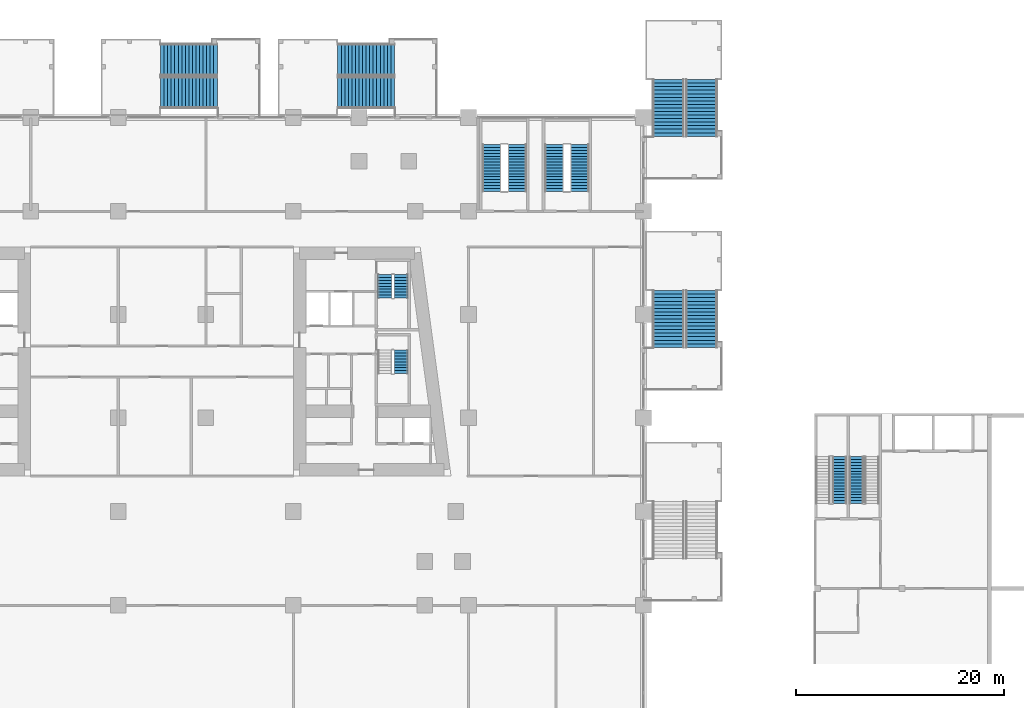
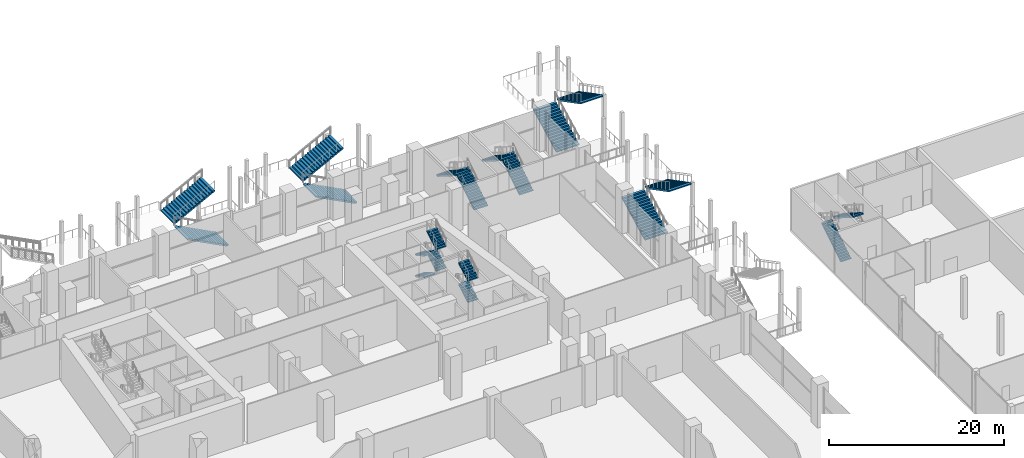
# One storey, part 33 of 49: 20 stair flights, 10 elements without a shape of their own.
"""IFC4 building model written with IfcOpenShell, lengths in metres."""

import ifcopenshell
import ifcopenshell.guid

model = None  # the IFC model being written
_history = None  # IfcOwnerHistory: only IFC2X3 demands one
_inside = {}  # id of a spatial element -> (the spatial element, [elements in it])
_under = {}  # id of a project, library or spatial element -> (it, [spatial elements below it])
_declared = {}  # id of a project -> (the project, [libraries it declares])
_typed = {}  # id of a type object -> (the type object, [elements of that type])
_made_of = {}  # id of a material, layer set ... -> (it, [elements and type objects made of it])


def new_model(schema):
    """Start an empty IFC model of exactly this schema.

    Asked for "IFC4X3", IfcOpenShell would pick the latest addendum, in which some entities
    have other attributes; the version numbers below select the first issue.
    IFC2X3 requires an IfcOwnerHistory on every rooted entity: one is made here for all.
    """
    global model, _history
    if schema == "IFC4X3":
        model = ifcopenshell.file(schema_version=(4, 3, 0, 0))
    else:
        model = ifcopenshell.file(schema=schema)
    _inside.clear()
    _under.clear()
    _declared.clear()
    _typed.clear()
    _made_of.clear()
    _history = None
    if model.schema == "IFC2X3":
        org = make("IfcOrganization", Name="unknown")
        user = make(
            "IfcPersonAndOrganization",
            ThePerson=make("IfcPerson", FamilyName="unknown"),
            TheOrganization=org,
        )
        app = make(
            "IfcApplication",
            ApplicationDeveloper=org,
            Version="unknown",
            ApplicationFullName="unknown",
            ApplicationIdentifier="unknown",
        )
        _history = make(
            "IfcOwnerHistory",
            OwningUser=user,
            OwningApplication=app,
            ChangeAction="ADDED",
            CreationDate=0,
        )
    return model


def make(cls, **values):
    """One entity of the class cls with the attributes given. An attribute that is None is left unset."""
    return model.create_entity(
        cls, **{name: value for name, value in values.items() if value is not None}
    )


def rooted(cls, **values):
    """An entity with a GlobalId (a new one), such as an element, a storey or a relation."""
    return make(cls, GlobalId=ifcopenshell.guid.new(), OwnerHistory=_history, **values)


def si_unit(unit_type, name, prefix=None):
    """IfcSIUnit, for example si_unit("LENGTHUNIT", "METRE", prefix="MILLI")."""
    return make("IfcSIUnit", UnitType=unit_type, Prefix=prefix, Name=name)


def assignment(units):
    """IfcUnitAssignment: the units of a project."""
    return None if units is None else make("IfcUnitAssignment", Units=units)


def point(xyz):
    """IfcCartesianPoint."""
    return None if xyz is None else make("IfcCartesianPoint", Coordinates=xyz)


def direction(xyz):
    """IfcDirection."""
    return None if xyz is None else make("IfcDirection", DirectionRatios=xyz)


def frame(location, z_axis=None, x_axis=None):
    """IfcAxis2Placement3D, a coordinate frame: its origin and axes. An axis left out is left unset."""
    return make(
        "IfcAxis2Placement3D",
        Location=point(location),
        Axis=direction(z_axis),
        RefDirection=direction(x_axis),
    )


def origin():
    """The frame at (0, 0, 0) with its axes left unset."""
    return frame((0.0, 0.0, 0.0))


def place(relative_to, where):
    """IfcLocalPlacement: puts the frame where relative to a parent placement (None: the world)."""
    return make(
        "IfcLocalPlacement", PlacementRelTo=relative_to, RelativePlacement=where
    )


def context(
    kind, dimensions, precision=None, world=None, true_north=None, identifier=None
):
    """IfcGeometricRepresentationContext, for example the 3D "Model" context."""
    return make(
        "IfcGeometricRepresentationContext",
        ContextIdentifier=identifier,
        ContextType=kind,
        CoordinateSpaceDimension=dimensions,
        Precision=precision,
        WorldCoordinateSystem=world,
        TrueNorth=true_north,
    )


def subcontext(parent, identifier, kind, view, scale=None):
    """IfcGeometricRepresentationSubContext, for example "Body" below "Model"."""
    return make(
        "IfcGeometricRepresentationSubContext",
        ContextIdentifier=identifier,
        ContextType=kind,
        ParentContext=parent,
        TargetScale=scale,
        TargetView=view,
    )


def project(units=None, contexts=None):
    """IfcProject with its units and contexts."""
    return rooted(
        "IfcProject",
        Name="project",
        RepresentationContexts=contexts,
        UnitsInContext=assignment(units),
    )


def spatial(cls, under=None, at=None, **own):
    """A site, building, storey or space (cls), placed at a placement, below another one or the project."""
    s = rooted(cls, ObjectPlacement=at, **own)
    if under is not None:
        _under.setdefault(under.id(), (under, []))[1].append(s)
    return s


def polyline(points):
    """IfcPolyline through the points."""
    return make("IfcPolyline", Points=[point(p) for p in points])


def outline(outer, holes=None, kind="AREA"):
    """IfcArbitraryClosedProfileDef: a profile drawn as a closed curve; with holes, ...WithVoids."""
    if holes is None:
        return make("IfcArbitraryClosedProfileDef", ProfileType=kind, OuterCurve=outer)
    return make(
        "IfcArbitraryProfileDefWithVoids",
        ProfileType=kind,
        OuterCurve=outer,
        InnerCurves=holes,
    )


def extrude(swept, where, along, depth):
    """IfcExtrudedAreaSolid: the profile swept, set in the frame where, extruded along a direction by depth."""
    return make(
        "IfcExtrudedAreaSolid",
        SweptArea=swept,
        Position=where,
        ExtrudedDirection=direction(along),
        Depth=depth,
    )


def shape(context_of_items, identifier, shape_type, items):
    """IfcShapeRepresentation: the items that make up one representation, for example the "Body"."""
    return make(
        "IfcShapeRepresentation",
        ContextOfItems=context_of_items,
        RepresentationIdentifier=identifier,
        RepresentationType=shape_type,
        Items=items,
    )


def material(Name=None, Category=None):
    """IfcMaterial."""
    return make("IfcMaterial", Name=Name, Category=Category)


def made_of(thing, what):
    """Note that an element or type object is made of a material, layer set ...; save() writes the relation."""
    if what is not None:
        _made_of.setdefault(what.id(), (what, []))[1].append(thing)
    return thing


def type_object(cls, material=None, **own):
    """A type object (cls), such as IfcWallType, which elements share."""
    return made_of(rooted(cls, **own), material)


def element(
    cls,
    number,
    at=None,
    inside=None,
    cuts=None,
    type_object=None,
    material=None,
    context=None,
    identifier="Body",
    shape_type=None,
    held_by="IfcProductDefinitionShape",
    body=None,
    shapes=None,
    **own,
):
    """One element of the class cls, such as IfcWall. Its Tag is "e" and its number.

    at: its placement. inside: the storey or other place that contains it. cuts: it is an
    opening in that element (IfcRelVoidsElement). A single representation is given by context,
    identifier, shape_type and body (its items); several are given by shapes. held_by: the class
    of the entity that holds the representations. save() writes the other relations.
    """
    e = rooted(cls, Tag="e%d" % number, ObjectPlacement=at, **own)
    if body is not None:
        shapes = [shape(context, identifier, shape_type, body)]
    if shapes is not None:
        e.Representation = make(held_by, Representations=shapes)
    if inside is not None:
        _inside.setdefault(inside.id(), (inside, []))[1].append(e)
    if cuts is not None:
        rooted(
            "IfcRelVoidsElement", RelatingBuildingElement=cuts, RelatedOpeningElement=e
        )
    if type_object is not None:
        _typed.setdefault(type_object.id(), (type_object, []))[1].append(e)
    return made_of(e, material)


def aggregate(whole, parts):
    """IfcRelAggregates: a whole, such as a stair, and the parts it consists of."""
    return rooted("IfcRelAggregates", RelatingObject=whole, RelatedObjects=parts)


def save(model, path):
    """Write the relations noted so far, then the file.

    IfcRelAggregates (storeys below a building ...), IfcRelContainedInSpatialStructure (elements
    in a storey), IfcRelDefinesByType, IfcRelAssociatesMaterial and IfcRelDeclares: one each for
    every whole, place, type object, material and project.
    """
    for whole, parts in _under.values():
        aggregate(whole, parts)
    for where, things in _inside.values():
        rooted(
            "IfcRelContainedInSpatialStructure",
            RelatedElements=things,
            RelatingStructure=where,
        )
    for kind, things in _typed.values():
        rooted("IfcRelDefinesByType", RelatedObjects=things, RelatingType=kind)
    for what, things in _made_of.values():
        rooted("IfcRelAssociatesMaterial", RelatedObjects=things, RelatingMaterial=what)
    for by, libraries in _declared.values():
        rooted("IfcRelDeclares", RelatingContext=by, RelatedDefinitions=libraries)
    model.write(path)


model = new_model("IFC4")

# Units and contexts
model_context = context("Model", 3, precision=1e-05, world=origin(), true_north=direction((0.0, 1.0)))
body_context = subcontext(model_context, "Body", "Model", "MODEL_VIEW")
ifc_project = project(units=[si_unit("LENGTHUNIT", "METRE"), si_unit("AREAUNIT", "SQUARE_METRE"), si_unit("VOLUMEUNIT", "CUBIC_METRE"), si_unit("PLANEANGLEUNIT", "RADIAN"), si_unit("MASSUNIT", "GRAM", prefix="KILO")], contexts=[model_context])

# Site, building, storey
site_placement = place(None, origin())
site = spatial("IfcSite", under=ifc_project, at=site_placement, CompositionType="ELEMENT")
building_placement = place(site_placement, origin())
building = spatial("IfcBuilding", under=site, at=building_placement, Name="Candeia Pilgrim Tower and Theatre", CompositionType="ELEMENT")
storey_placement = place(building_placement, frame((0.0, 0.0, 17.0)))
storey = spatial("IfcBuildingStorey", under=building, at=storey_placement, Name="L02", CompositionType="ELEMENT", Elevation=17.0)

# Stair, stair flights
ifc_material_1 = material(Name="Concrete C40/50", Category="concrete")
stair_type_1 = type_object("IfcStairType", Name="ST-EXT external escape stair", PredefinedType="HALF_TURN_STAIR", material=ifc_material_1)
stair_1_placement = place(storey_placement, origin())
stair_1 = element("IfcStair", 1, at=stair_1_placement, inside=storey, type_object=stair_type_1, Name="L02 External escape stair ES2", PredefinedType="HALF_TURN_STAIR")
stair_flight_type_1 = type_object("IfcStairFlightType", Name="SFL-EXT stair flight", PredefinedType="STRAIGHT", material=ifc_material_1)
stair_flight_1_placement = place(storey_placement, frame((162.0, 143.0, 0.0), z_axis=(0.0, 0.0, 1.0), x_axis=(0.0, 1.0, 0.0)))
stair_flight_1 = element("IfcStairFlight", 2, at=stair_flight_1_placement, type_object=stair_flight_type_1, Name="ES2 flight 1", NumberOfRisers=17, NumberOfTreads=16, PredefinedType="STRAIGHT", RiserHeight=0.176470588, TreadLength=0.34, context=body_context, shape_type="SweptSolid", body=[
    extrude(outline(polyline([(0.0, 0.0), (0.0, 0.176513671875), (0.340087890625, 0.176513671875), (0.340087890625, 0.35302734375), (0.679931640625, 0.35302734375), (0.679931640625, 0.529296875), (1.02001953125, 0.529296875), (1.02001953125, 0.705810546875), (1.360107421875, 0.705810546875), (1.360107421875, 0.88232421875), (1.699951171875, 0.88232421875), (1.699951171875, 1.058837890625), (2.0400390625, 1.058837890625), (2.0400390625, 1.2353515625), (2.3798828125, 1.2353515625), (2.3798828125, 1.411865234375), (2.719970703125, 1.411865234375), (2.719970703125, 1.588134765625), (3.06005859375, 1.588134765625), (3.06005859375, 1.7646484375), (3.39990234375, 1.7646484375), (3.39990234375, 1.941162109375), (3.739990234375, 1.941162109375), (3.739990234375, 2.11767578125), (4.080078125, 2.11767578125), (4.080078125, 2.294189453125), (4.419921875, 2.294189453125), (4.419921875, 2.470703125), (4.760009765625, 2.470703125), (4.760009765625, 2.64697265625), (5.10009765625, 2.64697265625), (5.10009765625, 2.823486328125), (5.43994140625, 2.823486328125), (5.43994140625, 3.0), (5.43994140625, 2.654541015625), (0.325439453125, 0.0), (0.0, 0.0)])), frame((0.0, 1.5, 0.0), z_axis=(0.0, -1.0, 0.0), x_axis=(1.0, 0.0, 0.0)), (0.0, 0.0, 1.0), 3.0),
])
stair_flight_2_placement = place(storey_placement, frame((165.14990234375, 148.43994140625, 3.0), z_axis=(0.0, 0.0, 1.0), x_axis=(0.0, -1.0, 0.0)))
stair_flight_2 = element("IfcStairFlight", 3, at=stair_flight_2_placement, type_object=stair_flight_type_1, Name="ES2 flight 2", NumberOfRisers=17, NumberOfTreads=16, PredefinedType="STRAIGHT", RiserHeight=0.176470588, TreadLength=0.34, context=body_context, shape_type="SweptSolid", body=[
    extrude(outline(polyline([(0.0, 0.0), (0.0, 0.176513671875), (0.340087890625, 0.176513671875), (0.340087890625, 0.35302734375), (0.679931640625, 0.35302734375), (0.679931640625, 0.529296875), (1.02001953125, 0.529296875), (1.02001953125, 0.705810546875), (1.360107421875, 0.705810546875), (1.360107421875, 0.88232421875), (1.699951171875, 0.88232421875), (1.699951171875, 1.058837890625), (2.0400390625, 1.058837890625), (2.0400390625, 1.2353515625), (2.3798828125, 1.2353515625), (2.3798828125, 1.411865234375), (2.719970703125, 1.411865234375), (2.719970703125, 1.588134765625), (3.06005859375, 1.588134765625), (3.06005859375, 1.7646484375), (3.39990234375, 1.7646484375), (3.39990234375, 1.941162109375), (3.739990234375, 1.941162109375), (3.739990234375, 2.11767578125), (4.080078125, 2.11767578125), (4.080078125, 2.294189453125), (4.419921875, 2.294189453125), (4.419921875, 2.470703125), (4.760009765625, 2.470703125), (4.760009765625, 2.64697265625), (5.10009765625, 2.64697265625), (5.10009765625, 2.823486328125), (5.43994140625, 2.823486328125), (5.43994140625, 3.0), (5.43994140625, 2.654541015625), (0.325439453125, 0.0), (0.0, 0.0)])), frame((0.0, 1.5, 0.0), z_axis=(0.0, -1.0, 0.0), x_axis=(1.0, 0.0, 0.0)), (0.0, 0.0, 1.0), 3.0),
])
aggregate(stair_1, [stair_flight_1, stair_flight_2])

stair_2_placement = place(storey_placement, origin())
stair_2 = element("IfcStair", 4, at=stair_2_placement, inside=storey, type_object=stair_type_1, Name="L02 External escape stair ES6", PredefinedType="HALF_TURN_STAIR")
stair_flight_3_placement = place(storey_placement, frame((118.699951171875, 147.199951171875, 0.0), z_axis=(0.0, 0.0, 1.0), x_axis=(-1.0, 0.0, 0.0)))
stair_flight_3 = element("IfcStairFlight", 5, at=stair_flight_3_placement, type_object=stair_flight_type_1, Name="ES6 flight 1", NumberOfRisers=17, NumberOfTreads=16, PredefinedType="STRAIGHT", RiserHeight=0.176470588, TreadLength=0.34, context=body_context, shape_type="SweptSolid", body=[
    extrude(outline(polyline([(0.0, 0.0), (0.0, 0.176513671875), (0.340087890625, 0.176513671875), (0.340087890625, 0.35302734375), (0.679931640625, 0.35302734375), (0.679931640625, 0.529296875), (1.02001953125, 0.529296875), (1.02001953125, 0.705810546875), (1.360107421875, 0.705810546875), (1.360107421875, 0.88232421875), (1.699951171875, 0.88232421875), (1.699951171875, 1.058837890625), (2.0400390625, 1.058837890625), (2.0400390625, 1.2353515625), (2.3798828125, 1.2353515625), (2.3798828125, 1.411865234375), (2.719970703125, 1.411865234375), (2.719970703125, 1.588134765625), (3.06005859375, 1.588134765625), (3.06005859375, 1.7646484375), (3.39990234375, 1.7646484375), (3.39990234375, 1.941162109375), (3.739990234375, 1.941162109375), (3.739990234375, 2.11767578125), (4.080078125, 2.11767578125), (4.080078125, 2.294189453125), (4.419921875, 2.294189453125), (4.419921875, 2.470703125), (4.760009765625, 2.470703125), (4.760009765625, 2.64697265625), (5.10009765625, 2.64697265625), (5.10009765625, 2.823486328125), (5.43994140625, 2.823486328125), (5.43994140625, 3.0), (5.43994140625, 2.654541015625), (0.325439453125, 0.0), (0.0, 0.0)])), frame((0.0, 1.5, 0.0), z_axis=(0.0, -1.0, 0.0), x_axis=(1.0, 0.0, 0.0)), (0.0, 0.0, 1.0), 3.0),
])
stair_flight_4_placement = place(storey_placement, frame((113.260009765625, 150.35009765625, 3.0), z_axis=(0.0, 0.0, 1.0), x_axis=(1.0, 0.0, 0.0)))
stair_flight_4 = element("IfcStairFlight", 6, at=stair_flight_4_placement, type_object=stair_flight_type_1, Name="ES6 flight 2", NumberOfRisers=17, NumberOfTreads=16, PredefinedType="STRAIGHT", RiserHeight=0.176470588, TreadLength=0.34, context=body_context, shape_type="SweptSolid", body=[
    extrude(outline(polyline([(0.0, 0.0), (0.0, 0.176513671875), (0.340087890625, 0.176513671875), (0.340087890625, 0.35302734375), (0.679931640625, 0.35302734375), (0.679931640625, 0.529296875), (1.02001953125, 0.529296875), (1.02001953125, 0.705810546875), (1.360107421875, 0.705810546875), (1.360107421875, 0.88232421875), (1.699951171875, 0.88232421875), (1.699951171875, 1.058837890625), (2.0400390625, 1.058837890625), (2.0400390625, 1.2353515625), (2.3798828125, 1.2353515625), (2.3798828125, 1.411865234375), (2.719970703125, 1.411865234375), (2.719970703125, 1.588134765625), (3.06005859375, 1.588134765625), (3.06005859375, 1.7646484375), (3.39990234375, 1.7646484375), (3.39990234375, 1.941162109375), (3.739990234375, 1.941162109375), (3.739990234375, 2.11767578125), (4.080078125, 2.11767578125), (4.080078125, 2.294189453125), (4.419921875, 2.294189453125), (4.419921875, 2.470703125), (4.760009765625, 2.470703125), (4.760009765625, 2.64697265625), (5.10009765625, 2.64697265625), (5.10009765625, 2.823486328125), (5.43994140625, 2.823486328125), (5.43994140625, 3.0), (5.43994140625, 2.654541015625), (0.325439453125, 0.0), (0.0, 0.0)])), frame((0.0, 1.5, 0.0), z_axis=(0.0, -1.0, 0.0), x_axis=(1.0, 0.0, 0.0)), (0.0, 0.0, 1.0), 3.0),
])
aggregate(stair_2, [stair_flight_3, stair_flight_4])

stair_3_placement = place(storey_placement, origin())
stair_3 = element("IfcStair", 7, at=stair_3_placement, inside=storey, type_object=stair_type_1, Name="L02 External escape stair ES7", PredefinedType="HALF_TURN_STAIR")
stair_flight_5_placement = place(storey_placement, frame((135.699951171875, 147.199951171875, 0.0), z_axis=(0.0, 0.0, 1.0), x_axis=(-1.0, 0.0, 0.0)))
stair_flight_5 = element("IfcStairFlight", 8, at=stair_flight_5_placement, type_object=stair_flight_type_1, Name="ES7 flight 1", NumberOfRisers=17, NumberOfTreads=16, PredefinedType="STRAIGHT", RiserHeight=0.176470588, TreadLength=0.34, context=body_context, shape_type="SweptSolid", body=[
    extrude(outline(polyline([(0.0, 0.0), (0.0, 0.176513671875), (0.340087890625, 0.176513671875), (0.340087890625, 0.35302734375), (0.679931640625, 0.35302734375), (0.679931640625, 0.529296875), (1.02001953125, 0.529296875), (1.02001953125, 0.705810546875), (1.360107421875, 0.705810546875), (1.360107421875, 0.88232421875), (1.699951171875, 0.88232421875), (1.699951171875, 1.058837890625), (2.0400390625, 1.058837890625), (2.0400390625, 1.2353515625), (2.3798828125, 1.2353515625), (2.3798828125, 1.411865234375), (2.719970703125, 1.411865234375), (2.719970703125, 1.588134765625), (3.06005859375, 1.588134765625), (3.06005859375, 1.7646484375), (3.39990234375, 1.7646484375), (3.39990234375, 1.941162109375), (3.739990234375, 1.941162109375), (3.739990234375, 2.11767578125), (4.080078125, 2.11767578125), (4.080078125, 2.294189453125), (4.419921875, 2.294189453125), (4.419921875, 2.470703125), (4.760009765625, 2.470703125), (4.760009765625, 2.64697265625), (5.10009765625, 2.64697265625), (5.10009765625, 2.823486328125), (5.43994140625, 2.823486328125), (5.43994140625, 3.0), (5.43994140625, 2.654541015625), (0.325439453125, 0.0), (0.0, 0.0)])), frame((0.0, 1.5, 0.0), z_axis=(0.0, -1.0, 0.0), x_axis=(1.0, 0.0, 0.0)), (0.0, 0.0, 1.0), 3.0),
])
stair_flight_6_placement = place(storey_placement, frame((130.260009765625, 150.35009765625, 3.0), z_axis=(0.0, 0.0, 1.0), x_axis=(1.0, 0.0, 0.0)))
stair_flight_6 = element("IfcStairFlight", 9, at=stair_flight_6_placement, type_object=stair_flight_type_1, Name="ES7 flight 2", NumberOfRisers=17, NumberOfTreads=16, PredefinedType="STRAIGHT", RiserHeight=0.176470588, TreadLength=0.34, context=body_context, shape_type="SweptSolid", body=[
    extrude(outline(polyline([(0.0, 0.0), (0.0, 0.176513671875), (0.340087890625, 0.176513671875), (0.340087890625, 0.35302734375), (0.679931640625, 0.35302734375), (0.679931640625, 0.529296875), (1.02001953125, 0.529296875), (1.02001953125, 0.705810546875), (1.360107421875, 0.705810546875), (1.360107421875, 0.88232421875), (1.699951171875, 0.88232421875), (1.699951171875, 1.058837890625), (2.0400390625, 1.058837890625), (2.0400390625, 1.2353515625), (2.3798828125, 1.2353515625), (2.3798828125, 1.411865234375), (2.719970703125, 1.411865234375), (2.719970703125, 1.588134765625), (3.06005859375, 1.588134765625), (3.06005859375, 1.7646484375), (3.39990234375, 1.7646484375), (3.39990234375, 1.941162109375), (3.739990234375, 1.941162109375), (3.739990234375, 2.11767578125), (4.080078125, 2.11767578125), (4.080078125, 2.294189453125), (4.419921875, 2.294189453125), (4.419921875, 2.470703125), (4.760009765625, 2.470703125), (4.760009765625, 2.64697265625), (5.10009765625, 2.64697265625), (5.10009765625, 2.823486328125), (5.43994140625, 2.823486328125), (5.43994140625, 3.0), (5.43994140625, 2.654541015625), (0.325439453125, 0.0), (0.0, 0.0)])), frame((0.0, 1.5, 0.0), z_axis=(0.0, -1.0, 0.0), x_axis=(1.0, 0.0, 0.0)), (0.0, 0.0, 1.0), 3.0),
])
aggregate(stair_3, [stair_flight_5, stair_flight_6])

stair_4_placement = place(storey_placement, origin())
stair_4 = element("IfcStair", 10, at=stair_4_placement, inside=storey, type_object=stair_type_1, Name="L02 External escape stair ES14", PredefinedType="HALF_TURN_STAIR")
stair_flight_7_placement = place(storey_placement, frame((162.0, 122.75, 0.0), z_axis=(0.0, 0.0, 1.0), x_axis=(0.0, 1.0, 0.0)))
stair_flight_7 = element("IfcStairFlight", 11, at=stair_flight_7_placement, type_object=stair_flight_type_1, Name="ES14 flight 1", NumberOfRisers=17, NumberOfTreads=16, PredefinedType="STRAIGHT", RiserHeight=0.176470588, TreadLength=0.34, context=body_context, shape_type="SweptSolid", body=[
    extrude(outline(polyline([(0.0, 0.0), (0.0, 0.176513671875), (0.340087890625, 0.176513671875), (0.340087890625, 0.35302734375), (0.679931640625, 0.35302734375), (0.679931640625, 0.529296875), (1.02001953125, 0.529296875), (1.02001953125, 0.705810546875), (1.360107421875, 0.705810546875), (1.360107421875, 0.88232421875), (1.699951171875, 0.88232421875), (1.699951171875, 1.058837890625), (2.0400390625, 1.058837890625), (2.0400390625, 1.2353515625), (2.3798828125, 1.2353515625), (2.3798828125, 1.411865234375), (2.719970703125, 1.411865234375), (2.719970703125, 1.588134765625), (3.06005859375, 1.588134765625), (3.06005859375, 1.7646484375), (3.39990234375, 1.7646484375), (3.39990234375, 1.941162109375), (3.739990234375, 1.941162109375), (3.739990234375, 2.11767578125), (4.080078125, 2.11767578125), (4.080078125, 2.294189453125), (4.419921875, 2.294189453125), (4.419921875, 2.470703125), (4.760009765625, 2.470703125), (4.760009765625, 2.64697265625), (5.10009765625, 2.64697265625), (5.10009765625, 2.823486328125), (5.43994140625, 2.823486328125), (5.43994140625, 3.0), (5.43994140625, 2.654541015625), (0.325439453125, 0.0), (0.0, 0.0)])), frame((0.0, 1.5, 0.0), z_axis=(0.0, -1.0, 0.0), x_axis=(1.0, 0.0, 0.0)), (0.0, 0.0, 1.0), 3.0),
])
stair_flight_8_placement = place(storey_placement, frame((165.14990234375, 128.18994140625, 3.0), z_axis=(0.0, 0.0, 1.0), x_axis=(0.0, -1.0, 0.0)))
stair_flight_8 = element("IfcStairFlight", 12, at=stair_flight_8_placement, type_object=stair_flight_type_1, Name="ES14 flight 2", NumberOfRisers=17, NumberOfTreads=16, PredefinedType="STRAIGHT", RiserHeight=0.176470588, TreadLength=0.34, context=body_context, shape_type="SweptSolid", body=[
    extrude(outline(polyline([(0.0, 0.0), (0.0, 0.176513671875), (0.340087890625, 0.176513671875), (0.340087890625, 0.35302734375), (0.679931640625, 0.35302734375), (0.679931640625, 0.529296875), (1.02001953125, 0.529296875), (1.02001953125, 0.705810546875), (1.360107421875, 0.705810546875), (1.360107421875, 0.88232421875), (1.699951171875, 0.88232421875), (1.699951171875, 1.058837890625), (2.0400390625, 1.058837890625), (2.0400390625, 1.2353515625), (2.3798828125, 1.2353515625), (2.3798828125, 1.411865234375), (2.719970703125, 1.411865234375), (2.719970703125, 1.588134765625), (3.06005859375, 1.588134765625), (3.06005859375, 1.7646484375), (3.39990234375, 1.7646484375), (3.39990234375, 1.941162109375), (3.739990234375, 1.941162109375), (3.739990234375, 2.11767578125), (4.080078125, 2.11767578125), (4.080078125, 2.294189453125), (4.419921875, 2.294189453125), (4.419921875, 2.470703125), (4.760009765625, 2.470703125), (4.760009765625, 2.64697265625), (5.10009765625, 2.64697265625), (5.10009765625, 2.823486328125), (5.43994140625, 2.823486328125), (5.43994140625, 3.0), (5.43994140625, 2.654541015625), (0.325439453125, 0.0), (0.0, 0.0)])), frame((0.0, 1.5, 0.0), z_axis=(0.0, -1.0, 0.0), x_axis=(1.0, 0.0, 0.0)), (0.0, 0.0, 1.0), 3.0),
])
aggregate(stair_4, [stair_flight_7, stair_flight_8])

stair_type_2 = type_object("IfcStairType", Name="ST-POD dog-leg escape stair", PredefinedType="HALF_TURN_STAIR", material=ifc_material_1)
stair_5_placement = place(storey_placement, origin())
stair_5 = element("IfcStair", 13, at=stair_5_placement, inside=storey, type_object=stair_type_2, Name="L02 Escape stair PS3", PredefinedType="HALF_TURN_STAIR")
stair_flight_type_2 = type_object("IfcStairFlightType", Name="SFL-POD stair flight", PredefinedType="STRAIGHT", material=ifc_material_1)
stair_flight_9_placement = place(storey_placement, frame((147.47509765625, 137.72509765625, 0.0), z_axis=(0.0, 0.0, 1.0), x_axis=(0.0, 1.0, 0.0)))
stair_flight_9 = element("IfcStairFlight", 14, at=stair_flight_9_placement, type_object=stair_flight_type_2, Name="PS3 flight 1", NumberOfRisers=17, NumberOfTreads=16, PredefinedType="STRAIGHT", RiserHeight=0.176470588, TreadLength=0.28, context=body_context, shape_type="SweptSolid", body=[
    extrude(outline(polyline([(0.0, 0.0), (0.0, 0.176513671875), (0.280029296875, 0.176513671875), (0.280029296875, 0.35302734375), (0.56005859375, 0.35302734375), (0.56005859375, 0.529296875), (0.840087890625, 0.529296875), (0.840087890625, 0.705810546875), (1.1201171875, 0.705810546875), (1.1201171875, 0.88232421875), (1.39990234375, 0.88232421875), (1.39990234375, 1.058837890625), (1.679931640625, 1.058837890625), (1.679931640625, 1.2353515625), (1.9599609375, 1.2353515625), (1.9599609375, 1.411865234375), (2.239990234375, 1.411865234375), (2.239990234375, 1.588134765625), (2.52001953125, 1.588134765625), (2.52001953125, 1.7646484375), (2.800048828125, 1.7646484375), (2.800048828125, 1.941162109375), (3.080078125, 1.941162109375), (3.080078125, 2.11767578125), (3.360107421875, 2.11767578125), (3.360107421875, 2.294189453125), (3.639892578125, 2.294189453125), (3.639892578125, 2.470703125), (3.919921875, 2.470703125), (3.919921875, 2.64697265625), (4.199951171875, 2.64697265625), (4.199951171875, 2.823486328125), (4.47998046875, 2.823486328125), (4.47998046875, 3.0), (4.47998046875, 2.646240234375), (0.28125, 0.0), (0.0, 0.0)])), frame((0.0, 0.89990234375, 0.0), z_axis=(0.0, -1.0, 0.0), x_axis=(1.0, 0.0, 0.0)), (0.0, 0.0, 1.0), 1.800048828125),
])
stair_flight_10_placement = place(storey_placement, frame((145.02490234375, 142.205078125, 3.0), z_axis=(0.0, 0.0, 1.0), x_axis=(0.0, -1.0, 0.0)))
stair_flight_10 = element("IfcStairFlight", 15, at=stair_flight_10_placement, type_object=stair_flight_type_2, Name="PS3 flight 2", NumberOfRisers=17, NumberOfTreads=16, PredefinedType="STRAIGHT", RiserHeight=0.176470588, TreadLength=0.28, context=body_context, shape_type="SweptSolid", body=[
    extrude(outline(polyline([(0.0, 0.0), (0.0, 0.176513671875), (0.280029296875, 0.176513671875), (0.280029296875, 0.35302734375), (0.56005859375, 0.35302734375), (0.56005859375, 0.529296875), (0.840087890625, 0.529296875), (0.840087890625, 0.705810546875), (1.1201171875, 0.705810546875), (1.1201171875, 0.88232421875), (1.39990234375, 0.88232421875), (1.39990234375, 1.058837890625), (1.679931640625, 1.058837890625), (1.679931640625, 1.2353515625), (1.9599609375, 1.2353515625), (1.9599609375, 1.411865234375), (2.239990234375, 1.411865234375), (2.239990234375, 1.588134765625), (2.52001953125, 1.588134765625), (2.52001953125, 1.7646484375), (2.800048828125, 1.7646484375), (2.800048828125, 1.941162109375), (3.080078125, 1.941162109375), (3.080078125, 2.11767578125), (3.360107421875, 2.11767578125), (3.360107421875, 2.294189453125), (3.639892578125, 2.294189453125), (3.639892578125, 2.470703125), (3.919921875, 2.470703125), (3.919921875, 2.64697265625), (4.199951171875, 2.64697265625), (4.199951171875, 2.823486328125), (4.47998046875, 2.823486328125), (4.47998046875, 3.0), (4.47998046875, 2.646240234375), (0.28125, 0.0), (0.0, 0.0)])), frame((0.0, 0.89990234375, 0.0), z_axis=(0.0, -1.0, 0.0), x_axis=(1.0, 0.0, 0.0)), (0.0, 0.0, 1.0), 1.800048828125),
])
aggregate(stair_5, [stair_flight_9, stair_flight_10])

stair_6_placement = place(storey_placement, origin())
stair_6 = element("IfcStair", 16, at=stair_6_placement, inside=storey, type_object=stair_type_2, Name="L02 Escape stair PS4", PredefinedType="HALF_TURN_STAIR")
stair_flight_11_placement = place(storey_placement, frame((153.47509765625, 137.72509765625, 0.0), z_axis=(0.0, 0.0, 1.0), x_axis=(0.0, 1.0, 0.0)))
stair_flight_11 = element("IfcStairFlight", 17, at=stair_flight_11_placement, type_object=stair_flight_type_2, Name="PS4 flight 1", NumberOfRisers=17, NumberOfTreads=16, PredefinedType="STRAIGHT", RiserHeight=0.176470588, TreadLength=0.28, context=body_context, shape_type="SweptSolid", body=[
    extrude(outline(polyline([(0.0, 0.0), (0.0, 0.176513671875), (0.280029296875, 0.176513671875), (0.280029296875, 0.35302734375), (0.56005859375, 0.35302734375), (0.56005859375, 0.529296875), (0.840087890625, 0.529296875), (0.840087890625, 0.705810546875), (1.1201171875, 0.705810546875), (1.1201171875, 0.88232421875), (1.39990234375, 0.88232421875), (1.39990234375, 1.058837890625), (1.679931640625, 1.058837890625), (1.679931640625, 1.2353515625), (1.9599609375, 1.2353515625), (1.9599609375, 1.411865234375), (2.239990234375, 1.411865234375), (2.239990234375, 1.588134765625), (2.52001953125, 1.588134765625), (2.52001953125, 1.7646484375), (2.800048828125, 1.7646484375), (2.800048828125, 1.941162109375), (3.080078125, 1.941162109375), (3.080078125, 2.11767578125), (3.360107421875, 2.11767578125), (3.360107421875, 2.294189453125), (3.639892578125, 2.294189453125), (3.639892578125, 2.470703125), (3.919921875, 2.470703125), (3.919921875, 2.64697265625), (4.199951171875, 2.64697265625), (4.199951171875, 2.823486328125), (4.47998046875, 2.823486328125), (4.47998046875, 3.0), (4.47998046875, 2.646240234375), (0.28125, 0.0), (0.0, 0.0)])), frame((0.0, 0.89990234375, 0.0), z_axis=(0.0, -1.0, 0.0), x_axis=(1.0, 0.0, 0.0)), (0.0, 0.0, 1.0), 1.800048828125),
])
stair_flight_12_placement = place(storey_placement, frame((151.02490234375, 142.205078125, 3.0), z_axis=(0.0, 0.0, 1.0), x_axis=(0.0, -1.0, 0.0)))
stair_flight_12 = element("IfcStairFlight", 18, at=stair_flight_12_placement, type_object=stair_flight_type_2, Name="PS4 flight 2", NumberOfRisers=17, NumberOfTreads=16, PredefinedType="STRAIGHT", RiserHeight=0.176470588, TreadLength=0.28, context=body_context, shape_type="SweptSolid", body=[
    extrude(outline(polyline([(0.0, 0.0), (0.0, 0.176513671875), (0.280029296875, 0.176513671875), (0.280029296875, 0.35302734375), (0.56005859375, 0.35302734375), (0.56005859375, 0.529296875), (0.840087890625, 0.529296875), (0.840087890625, 0.705810546875), (1.1201171875, 0.705810546875), (1.1201171875, 0.88232421875), (1.39990234375, 0.88232421875), (1.39990234375, 1.058837890625), (1.679931640625, 1.058837890625), (1.679931640625, 1.2353515625), (1.9599609375, 1.2353515625), (1.9599609375, 1.411865234375), (2.239990234375, 1.411865234375), (2.239990234375, 1.588134765625), (2.52001953125, 1.588134765625), (2.52001953125, 1.7646484375), (2.800048828125, 1.7646484375), (2.800048828125, 1.941162109375), (3.080078125, 1.941162109375), (3.080078125, 2.11767578125), (3.360107421875, 2.11767578125), (3.360107421875, 2.294189453125), (3.639892578125, 2.294189453125), (3.639892578125, 2.470703125), (3.919921875, 2.470703125), (3.919921875, 2.64697265625), (4.199951171875, 2.64697265625), (4.199951171875, 2.823486328125), (4.47998046875, 2.823486328125), (4.47998046875, 3.0), (4.47998046875, 2.646240234375), (0.28125, 0.0), (0.0, 0.0)])), frame((0.0, 0.89990234375, 0.0), z_axis=(0.0, -1.0, 0.0), x_axis=(1.0, 0.0, 0.0)), (0.0, 0.0, 1.0), 1.800048828125),
])
aggregate(stair_6, [stair_flight_11, stair_flight_12])

stair_type_3 = type_object("IfcStairType", Name="ST-TWR dog-leg escape stair", PredefinedType="HALF_TURN_STAIR", material=ifc_material_1)
stair_7_placement = place(storey_placement, origin())
stair_7 = element("IfcStair", 19, at=stair_7_placement, inside=storey, type_object=stair_type_3, Name="L02 Escape stair ST3", PredefinedType="HALF_TURN_STAIR")
stair_flight_type_3 = type_object("IfcStairFlightType", Name="SFL-RC stair flight", PredefinedType="STRAIGHT", material=ifc_material_1)
stair_flight_13_placement = place(storey_placement, frame((136.322998046875, 120.235107421875, 1.5), z_axis=(0.0, 0.0, 1.0), x_axis=(0.0, 1.0, 0.0)))
stair_flight_13 = element("IfcStairFlight", 20, at=stair_flight_13_placement, type_object=stair_flight_type_3, Name="ST3 flight 2", NumberOfRisers=9, NumberOfTreads=8, PredefinedType="STRAIGHT", RiserHeight=0.166666667, TreadLength=0.28, context=body_context, shape_type="SweptSolid", body=[
    extrude(outline(polyline([(0.0, 0.0), (0.0, 0.166748046875), (0.280029296875, 0.166748046875), (0.280029296875, 0.333251953125), (0.56005859375, 0.333251953125), (0.56005859375, 0.5), (0.840087890625, 0.5), (0.840087890625, 0.666748046875), (1.1201171875, 0.666748046875), (1.1201171875, 0.833251953125), (1.39990234375, 0.833251953125), (1.39990234375, 1.0), (1.679931640625, 1.0), (1.679931640625, 1.166748046875), (1.9599609375, 1.166748046875), (1.9599609375, 1.333251953125), (2.239990234375, 1.333251953125), (2.239990234375, 1.5), (2.239990234375, 1.158935546875), (0.29296875, 0.0), (0.0, 0.0)])), frame((0.0, 0.675048828125, 0.0), z_axis=(0.0, -1.0, 0.0), x_axis=(1.0, 0.0, 0.0)), (0.0, 0.0, 1.0), 1.35009765625),
])
stair_flight_14_placement = place(storey_placement, frame((136.322998046875, 120.235107421875, 4.5), z_axis=(0.0, 0.0, 1.0), x_axis=(0.0, 1.0, 0.0)))
stair_flight_14 = element("IfcStairFlight", 21, at=stair_flight_14_placement, type_object=stair_flight_type_3, Name="ST3 flight 4", NumberOfRisers=9, NumberOfTreads=8, PredefinedType="STRAIGHT", RiserHeight=0.166666667, TreadLength=0.28, context=body_context, shape_type="SweptSolid", body=[
    extrude(outline(polyline([(0.0, 0.0), (0.0, 0.166748046875), (0.280029296875, 0.166748046875), (0.280029296875, 0.333251953125), (0.56005859375, 0.333251953125), (0.56005859375, 0.5), (0.840087890625, 0.5), (0.840087890625, 0.666748046875), (1.1201171875, 0.666748046875), (1.1201171875, 0.833251953125), (1.39990234375, 0.833251953125), (1.39990234375, 1.0), (1.679931640625, 1.0), (1.679931640625, 1.166748046875), (1.9599609375, 1.166748046875), (1.9599609375, 1.333251953125), (2.239990234375, 1.333251953125), (2.239990234375, 1.5), (2.239990234375, 1.158935546875), (0.29296875, 0.0), (0.0, 0.0)])), frame((0.0, 0.675048828125, 0.0), z_axis=(0.0, -1.0, 0.0), x_axis=(1.0, 0.0, 0.0)), (0.0, 0.0, 1.0), 1.35009765625),
])
aggregate(stair_7, [stair_flight_13, stair_flight_14])

stair_8_placement = place(storey_placement, origin())
stair_8 = element("IfcStair", 22, at=stair_8_placement, inside=storey, type_object=stair_type_3, Name="L02 Escape stair ST4", PredefinedType="HALF_TURN_STAIR")
stair_flight_15_placement = place(storey_placement, frame((134.77294921875, 129.72509765625, 0.0), z_axis=(0.0, 0.0, 1.0), x_axis=(0.0, -1.0, 0.0)))
stair_flight_15 = element("IfcStairFlight", 23, at=stair_flight_15_placement, type_object=stair_flight_type_3, Name="ST4 flight 1", NumberOfRisers=9, NumberOfTreads=8, PredefinedType="STRAIGHT", RiserHeight=0.166666667, TreadLength=0.28, context=body_context, shape_type="SweptSolid", body=[
    extrude(outline(polyline([(0.0, 0.0), (0.0, 0.166748046875), (0.280029296875, 0.166748046875), (0.280029296875, 0.333251953125), (0.56005859375, 0.333251953125), (0.56005859375, 0.5), (0.840087890625, 0.5), (0.840087890625, 0.666748046875), (1.1201171875, 0.666748046875), (1.1201171875, 0.833251953125), (1.39990234375, 0.833251953125), (1.39990234375, 1.0), (1.679931640625, 1.0), (1.679931640625, 1.166748046875), (1.9599609375, 1.166748046875), (1.9599609375, 1.333251953125), (2.239990234375, 1.333251953125), (2.239990234375, 1.5), (2.239990234375, 1.158935546875), (0.29296875, 0.0), (0.0, 0.0)])), frame((0.0, 0.675048828125, 0.0), z_axis=(0.0, -1.0, 0.0), x_axis=(1.0, 0.0, 0.0)), (0.0, 0.0, 1.0), 1.35009765625),
])
stair_flight_16_placement = place(storey_placement, frame((136.322998046875, 127.485107421875, 1.5), z_axis=(0.0, 0.0, 1.0), x_axis=(0.0, 1.0, 0.0)))
stair_flight_16 = element("IfcStairFlight", 24, at=stair_flight_16_placement, type_object=stair_flight_type_3, Name="ST4 flight 2", NumberOfRisers=9, NumberOfTreads=8, PredefinedType="STRAIGHT", RiserHeight=0.166666667, TreadLength=0.28, context=body_context, shape_type="SweptSolid", body=[
    extrude(outline(polyline([(0.0, 0.0), (0.0, 0.166748046875), (0.280029296875, 0.166748046875), (0.280029296875, 0.333251953125), (0.56005859375, 0.333251953125), (0.56005859375, 0.5), (0.840087890625, 0.5), (0.840087890625, 0.666748046875), (1.1201171875, 0.666748046875), (1.1201171875, 0.833251953125), (1.39990234375, 0.833251953125), (1.39990234375, 1.0), (1.679931640625, 1.0), (1.679931640625, 1.166748046875), (1.9599609375, 1.166748046875), (1.9599609375, 1.333251953125), (2.239990234375, 1.333251953125), (2.239990234375, 1.5), (2.239990234375, 1.158935546875), (0.29296875, 0.0), (0.0, 0.0)])), frame((0.0, 0.675048828125, 0.0), z_axis=(0.0, -1.0, 0.0), x_axis=(1.0, 0.0, 0.0)), (0.0, 0.0, 1.0), 1.35009765625),
])
stair_flight_17_placement = place(storey_placement, frame((134.77294921875, 129.72509765625, 3.0), z_axis=(0.0, 0.0, 1.0), x_axis=(0.0, -1.0, 0.0)))
stair_flight_17 = element("IfcStairFlight", 25, at=stair_flight_17_placement, type_object=stair_flight_type_3, Name="ST4 flight 3", NumberOfRisers=9, NumberOfTreads=8, PredefinedType="STRAIGHT", RiserHeight=0.166666667, TreadLength=0.28, context=body_context, shape_type="SweptSolid", body=[
    extrude(outline(polyline([(0.0, 0.0), (0.0, 0.166748046875), (0.280029296875, 0.166748046875), (0.280029296875, 0.333251953125), (0.56005859375, 0.333251953125), (0.56005859375, 0.5), (0.840087890625, 0.5), (0.840087890625, 0.666748046875), (1.1201171875, 0.666748046875), (1.1201171875, 0.833251953125), (1.39990234375, 0.833251953125), (1.39990234375, 1.0), (1.679931640625, 1.0), (1.679931640625, 1.166748046875), (1.9599609375, 1.166748046875), (1.9599609375, 1.333251953125), (2.239990234375, 1.333251953125), (2.239990234375, 1.5), (2.239990234375, 1.158935546875), (0.29296875, 0.0), (0.0, 0.0)])), frame((0.0, 0.675048828125, 0.0), z_axis=(0.0, -1.0, 0.0), x_axis=(1.0, 0.0, 0.0)), (0.0, 0.0, 1.0), 1.35009765625),
])
stair_flight_18_placement = place(storey_placement, frame((136.322998046875, 127.485107421875, 4.5), z_axis=(0.0, 0.0, 1.0), x_axis=(0.0, 1.0, 0.0)))
stair_flight_18 = element("IfcStairFlight", 26, at=stair_flight_18_placement, type_object=stair_flight_type_3, Name="ST4 flight 4", NumberOfRisers=9, NumberOfTreads=8, PredefinedType="STRAIGHT", RiserHeight=0.166666667, TreadLength=0.28, context=body_context, shape_type="SweptSolid", body=[
    extrude(outline(polyline([(0.0, 0.0), (0.0, 0.166748046875), (0.280029296875, 0.166748046875), (0.280029296875, 0.333251953125), (0.56005859375, 0.333251953125), (0.56005859375, 0.5), (0.840087890625, 0.5), (0.840087890625, 0.666748046875), (1.1201171875, 0.666748046875), (1.1201171875, 0.833251953125), (1.39990234375, 0.833251953125), (1.39990234375, 1.0), (1.679931640625, 1.0), (1.679931640625, 1.166748046875), (1.9599609375, 1.166748046875), (1.9599609375, 1.333251953125), (2.239990234375, 1.333251953125), (2.239990234375, 1.5), (2.239990234375, 1.158935546875), (0.29296875, 0.0), (0.0, 0.0)])), frame((0.0, 0.675048828125, 0.0), z_axis=(0.0, -1.0, 0.0), x_axis=(1.0, 0.0, 0.0)), (0.0, 0.0, 1.0), 1.35009765625),
])
aggregate(stair_8, [stair_flight_15, stair_flight_16, stair_flight_17, stair_flight_18])

# Stair, stair flight
ifc_material_2 = material(Name="Concrete C35/45", Category="concrete")
stair_type_4 = type_object("IfcStairType", Name="Theatre stair", PredefinedType="HALF_TURN_STAIR", material=ifc_material_2)
stair_9_placement = place(storey_placement, origin())
stair_9 = element("IfcStair", 27, at=stair_9_placement, inside=storey, type_object=stair_type_4, Name="L02 Theatre stair S1", PredefinedType="HALF_TURN_STAIR")
stair_flight_type_4 = type_object("IfcStairFlightType", Name="Theatre stair flight", PredefinedType="STRAIGHT", material=ifc_material_2)
stair_flight_19_placement = place(storey_placement, frame((178.425048828125, 107.77490234375, 0.0), z_axis=(0.0, 0.0, 1.0), x_axis=(0.0, 1.0, 0.0)))
stair_flight_19 = element("IfcStairFlight", 28, at=stair_flight_19_placement, type_object=stair_flight_type_4, Name="TS1 flight 1", NumberOfRisers=17, NumberOfTreads=16, PredefinedType="STRAIGHT", RiserHeight=0.176470588, TreadLength=0.28, context=body_context, shape_type="SweptSolid", body=[
    extrude(outline(polyline([(0.0, 0.0), (0.0, 0.176513671875), (0.280029296875, 0.176513671875), (0.280029296875, 0.35302734375), (0.56005859375, 0.35302734375), (0.56005859375, 0.529296875), (0.840087890625, 0.529296875), (0.840087890625, 0.705810546875), (1.1201171875, 0.705810546875), (1.1201171875, 0.88232421875), (1.39990234375, 0.88232421875), (1.39990234375, 1.058837890625), (1.679931640625, 1.058837890625), (1.679931640625, 1.2353515625), (1.9599609375, 1.2353515625), (1.9599609375, 1.411865234375), (2.239990234375, 1.411865234375), (2.239990234375, 1.588134765625), (2.52001953125, 1.588134765625), (2.52001953125, 1.7646484375), (2.800048828125, 1.7646484375), (2.800048828125, 1.941162109375), (3.080078125, 1.941162109375), (3.080078125, 2.11767578125), (3.360107421875, 2.11767578125), (3.360107421875, 2.294189453125), (3.639892578125, 2.294189453125), (3.639892578125, 2.470703125), (3.919921875, 2.470703125), (3.919921875, 2.64697265625), (4.199951171875, 2.64697265625), (4.199951171875, 2.823486328125), (4.47998046875, 2.823486328125), (4.47998046875, 3.0), (4.47998046875, 2.646240234375), (0.28125, 0.0), (0.0, 0.0)])), frame((0.0, 0.675048828125, 0.0), z_axis=(0.0, -1.0, 0.0), x_axis=(1.0, 0.0, 0.0)), (0.0, 0.0, 1.0), 1.35009765625),
])
aggregate(stair_9, [stair_flight_19])

stair_10_placement = place(storey_placement, origin())
stair_10 = element("IfcStair", 29, at=stair_10_placement, inside=storey, type_object=stair_type_4, Name="L02 Theatre stair S2", PredefinedType="HALF_TURN_STAIR")
stair_flight_20_placement = place(storey_placement, frame((180.02490234375, 112.2548828125, 3.0), z_axis=(0.0, 0.0, 1.0), x_axis=(0.0, -1.0, 0.0)))
stair_flight_20 = element("IfcStairFlight", 30, at=stair_flight_20_placement, type_object=stair_flight_type_4, Name="TS2 flight 2", NumberOfRisers=17, NumberOfTreads=16, PredefinedType="STRAIGHT", RiserHeight=0.176470588, TreadLength=0.28, context=body_context, shape_type="SweptSolid", body=[
    extrude(outline(polyline([(0.0, 0.0), (0.0, 0.176513671875), (0.280029296875, 0.176513671875), (0.280029296875, 0.35302734375), (0.56005859375, 0.35302734375), (0.56005859375, 0.529296875), (0.840087890625, 0.529296875), (0.840087890625, 0.705810546875), (1.1201171875, 0.705810546875), (1.1201171875, 0.88232421875), (1.39990234375, 0.88232421875), (1.39990234375, 1.058837890625), (1.679931640625, 1.058837890625), (1.679931640625, 1.2353515625), (1.9599609375, 1.2353515625), (1.9599609375, 1.411865234375), (2.239990234375, 1.411865234375), (2.239990234375, 1.588134765625), (2.52001953125, 1.588134765625), (2.52001953125, 1.7646484375), (2.800048828125, 1.7646484375), (2.800048828125, 1.941162109375), (3.080078125, 1.941162109375), (3.080078125, 2.11767578125), (3.360107421875, 2.11767578125), (3.360107421875, 2.294189453125), (3.639892578125, 2.294189453125), (3.639892578125, 2.470703125), (3.919921875, 2.470703125), (3.919921875, 2.64697265625), (4.199951171875, 2.64697265625), (4.199951171875, 2.823486328125), (4.47998046875, 2.823486328125), (4.47998046875, 3.0), (4.47998046875, 2.646240234375), (0.28125, 0.0), (0.0, 0.0)])), frame((0.0, 0.675048828125, 0.0), z_axis=(0.0, -1.0, 0.0), x_axis=(1.0, 0.0, 0.0)), (0.0, 0.0, 1.0), 1.35009765625),
])
aggregate(stair_10, [stair_flight_20])

save(model, "model.ifc")
